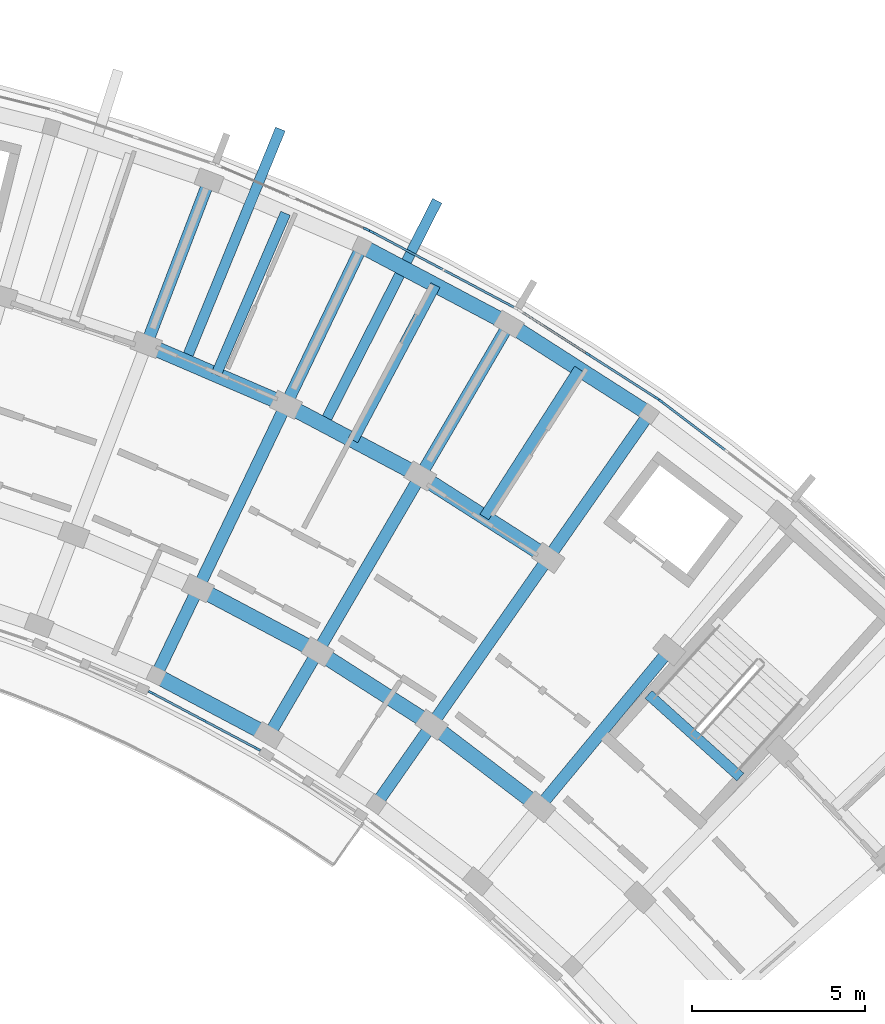
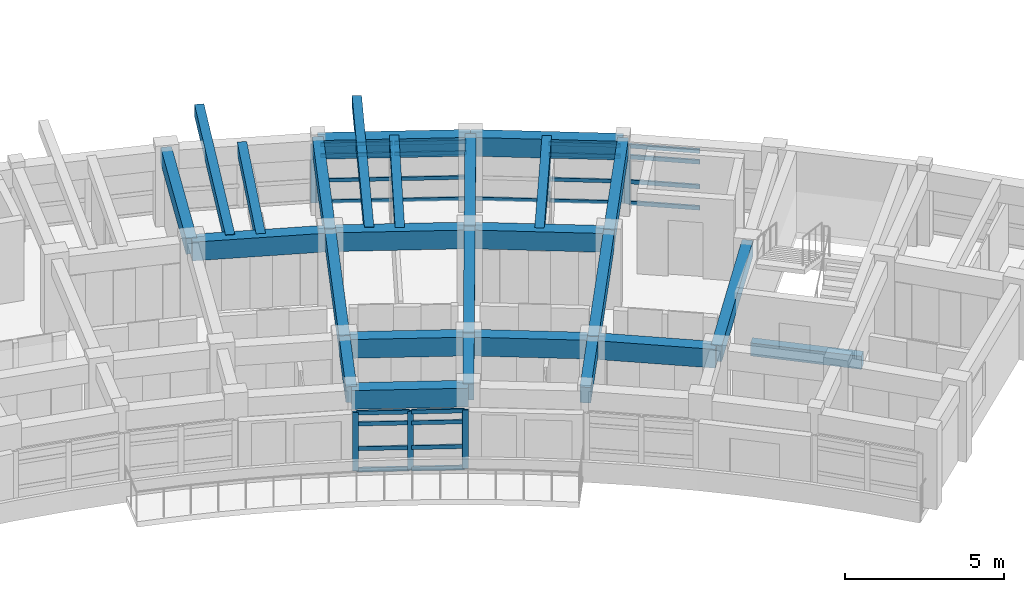
# One storey, part 14 of 56: 33 members, 26 beams, 5 elements without a shape of their own.
"""IFC4 building model written with IfcOpenShell, lengths in metres."""

from ifc_helpers import new_model, si_unit, direction, frame, origin, origin_2d, place, context, subcontext, project, spatial, rectangle, extrude, material, material_profile, profile_set, type_object, element, aggregate, save


model = new_model("IFC4")

# Units and contexts
model_context = context("Model", 3, precision=1e-05, world=origin(), true_north=direction((0.0, 1.0)))
body_context = subcontext(model_context, "Body", "Model", "MODEL_VIEW")
ifc_project = project(units=[si_unit("LENGTHUNIT", "METRE"), si_unit("AREAUNIT", "SQUARE_METRE"), si_unit("VOLUMEUNIT", "CUBIC_METRE"), si_unit("PLANEANGLEUNIT", "RADIAN"), si_unit("MASSUNIT", "GRAM", prefix="KILO")], contexts=[model_context])

# Site, building, storey
site_placement = place(None, origin())
site = spatial("IfcSite", under=ifc_project, at=site_placement, CompositionType="ELEMENT")
building_placement = place(site_placement, origin())
building = spatial("IfcBuilding", under=site, at=building_placement, Name="Zimvara Arc Housing Community", CompositionType="ELEMENT")
storey_placement = place(building_placement, frame((0.0, 0.0, 17.39990234375)))
storey = spatial("IfcBuildingStorey", under=building, at=storey_placement, Name="L05", CompositionType="ELEMENT", Elevation=17.39990234375)

# Beams
ifc_material_1 = material(Name="Concrete C40/50", Category="concrete")
ifc_material_profile_1 = material_profile(ifc_material_1, rectangle(XDim=0.300048828125, YDim=0.449951171875, at=origin_2d()), Name="RC 300x450")
ifc_profile_set_1 = profile_set([ifc_material_profile_1], Name="Concrete C40/50")
beam_type_1 = type_object("IfcBeamType", Name="BM-RC-300x450", PredefinedType="JOIST", material=ifc_profile_set_1)
beam_1_placement = place(storey_placement, frame((66.22802734375, 93.885986328125, 2.64501953125), z_axis=(0.394929109608, 0.918711596958, 0.0), x_axis=(-0.918711596958, 0.394929109608, 0.0)))
element("IfcBeam", 1, at=beam_1_placement, inside=storey, type_object=beam_type_1, Name="bm:blkB:L05:joist:b4", PredefinedType="JOIST", context=body_context, shape_type="SweptSolid", body=[
    extrude(rectangle(XDim=0.300048828125, YDim=0.449951171875, at=origin_2d()), origin(), (0.0, 0.0, 1.0), 5.075927734375),
])
for number, where, z_axis, x_axis, name in (
    (2, (70.186767578125, 91.9892578125, 2.64501953125), (0.46853732736, 0.883443701019, 0.0), (-0.883443701019, 0.46853732736, 0.0), "bm:blkB:L05:joist:b5"),
    (3, (73.9775390625, 89.776123046875, 2.64501953125), (0.539052331508, 0.842272274206, 0.0), (-0.842272274206, 0.539052331508, 0.0), "bm:blkB:L05:joist:b6"),
):
    element("IfcBeam", number, at=place(storey_placement, frame(where, z_axis=z_axis, x_axis=x_axis)), inside=storey, type_object=beam_type_1, Name=name, PredefinedType="JOIST", context=body_context, shape_type="SweptSolid", body=[
        extrude(rectangle(XDim=0.300048828125, YDim=0.449951171875, at=origin_2d()), origin(), (0.0, 0.0, 1.0), 5.07568359375),
    ])
for number, where, z_axis, x_axis, name in (
    (4, (65.354248046875, 94.301025390625, 2.6650390625), (0.37834711263, 0.925663795535, 0.0), (-0.925663795535, 0.37834711263, 0.0), "bm:blkB:L05:cant_out:b4"),
    (5, (69.349609375, 92.474365234375, 2.6650390625), (0.45261583812, 0.891705614585, 0.0), (-0.891705614585, 0.45261583812, 0.0), "bm:blkB:L05:cant_out:b5"),
):
    element("IfcBeam", number, at=place(storey_placement, frame(where, z_axis=z_axis, x_axis=x_axis)), inside=storey, type_object=beam_type_1, Name=name, PredefinedType="JOIST", context=body_context, shape_type="SweptSolid", body=[
        extrude(rectangle(XDim=0.300048828125, YDim=0.449951171875, at=origin_2d()), origin(), (0.0, 0.0, 1.0), 7.219970703125),
    ])
ifc_material_2 = material(Name="Concrete C40/50", Category="concrete")
ifc_material_profile_2 = material_profile(ifc_material_2, rectangle(XDim=0.300048828125, YDim=0.5, at=origin_2d()), Name="RC 300x500")
ifc_profile_set_2 = profile_set([ifc_material_profile_2], Name="Concrete C40/50")
beam_type_2 = type_object("IfcBeamType", Name="BM-RC-300x500", PredefinedType="BEAM", material=ifc_profile_set_2)
beam_2_placement = place(storey_placement, frame((81.375732421875, 82.259033203125, -0.25), z_axis=(-0.743362151162, 0.668889162881, 0.0), x_axis=(-0.668889162881, -0.743362151162, 0.0)))
element("IfcBeam", 6, at=beam_2_placement, inside=storey, type_object=beam_type_2, Name="bm:stair_trim:ST-B2:L05:near", PredefinedType="BEAM", context=body_context, shape_type="SweptSolid", body=[
    extrude(rectangle(XDim=0.300048828125, YDim=0.5, at=origin_2d()), origin(), (0.0, 0.0, 1.0), 3.570068359375),
])
ifc_material_3 = material(Name="Concrete C40/50", Category="concrete")
ifc_material_profile_3 = material_profile(ifc_material_3, rectangle(XDim=0.35009765625, YDim=0.60009765625, at=origin_2d()), Name="RC 350x600")
ifc_profile_set_3 = profile_set([ifc_material_profile_3], Name="Concrete C40/50")
beam_type_3 = type_object("IfcBeamType", Name="BM-RC-350x600", PredefinedType="BEAM", material=ifc_profile_set_3)
beam_3_placement = place(storey_placement, frame((64.2099609375, 94.75341796875, 2.570068359375), z_axis=(0.357078271386, 0.934074466038, 0.0), x_axis=(-0.934074466038, 0.357078271386, 0.0)))
element("IfcBeam", 7, at=beam_3_placement, inside=storey, type_object=beam_type_3, Name="bm:blkB:L05:rad:b4:r23", PredefinedType="BEAM", context=body_context, shape_type="SweptSolid", body=[
    extrude(rectangle(XDim=0.35009765625, YDim=0.60009765625, at=origin_2d()), origin(), (0.0, 0.0, 1.0), 5.080078125),
])
beam_4_placement = place(storey_placement, frame((64.49560546875, 85.190673828125, 2.570068359375), z_axis=(0.432118703138, 0.901816736593, 0.0), x_axis=(-0.901816736593, 0.432118703138, 0.0)))
element("IfcBeam", 8, at=beam_4_placement, inside=storey, type_object=beam_type_3, Name="bm:blkB:L05:rad:b5:r01", PredefinedType="BEAM", context=body_context, shape_type="SweptSolid", body=[
    extrude(rectangle(XDim=0.35009765625, YDim=0.60009765625, at=origin_2d()), origin(), (0.0, 0.0, 1.0), 2.800048828125),
])
beam_5_placement = place(storey_placement, frame((65.70556640625, 87.7158203125, 2.570068359375), z_axis=(0.432069527705, 0.901840298073, 0.0), x_axis=(-0.901840298073, 0.432069527705, 0.0)))
element("IfcBeam", 9, at=beam_5_placement, inside=storey, type_object=beam_type_3, Name="bm:blkB:L05:rad:b5:r12", PredefinedType="BEAM", context=body_context, shape_type="SweptSolid", body=[
    extrude(rectangle(XDim=0.35009765625, YDim=0.60009765625, at=origin_2d()), origin(), (0.0, 0.0, 1.0), 5.8798828125),
])
beam_6_placement = place(storey_placement, frame((68.24609375, 93.0185546875, 2.570068359375), z_axis=(0.432098194978, 0.901826563091, 0.0), x_axis=(-0.901826563091, 0.432098194978, 0.0)))
element("IfcBeam", 10, at=beam_6_placement, inside=storey, type_object=beam_type_3, Name="bm:blkB:L05:rad:b5:r23", PredefinedType="BEAM", context=body_context, shape_type="SweptSolid", body=[
    extrude(rectangle(XDim=0.35009765625, YDim=0.60009765625, at=origin_2d()), origin(), (0.0, 0.0, 1.0), 5.080078125),
])
beam_7_placement = place(storey_placement, frame((67.750732421875, 83.46435546875, 2.570068359375), z_axis=(0.504239631668, 0.86356377521, 0.0), x_axis=(-0.86356377521, 0.504239631668, 0.0)))
element("IfcBeam", 11, at=beam_7_placement, inside=storey, type_object=beam_type_3, Name="bm:blkB:L05:rad:b6:r01", PredefinedType="BEAM", context=body_context, shape_type="SweptSolid", body=[
    extrude(rectangle(XDim=0.35009765625, YDim=0.60009765625, at=origin_2d()), origin(), (0.0, 0.0, 1.0), 2.800048828125),
])
beam_8_placement = place(storey_placement, frame((69.16259765625, 85.88232421875, 2.570068359375), z_axis=(0.504219494781, 0.863575532934, 0.0), x_axis=(-0.863575532934, 0.504219494781, 0.0)))
element("IfcBeam", 12, at=beam_8_placement, inside=storey, type_object=beam_type_3, Name="bm:blkB:L05:rad:b6:r12", PredefinedType="BEAM", context=body_context, shape_type="SweptSolid", body=[
    extrude(rectangle(XDim=0.35009765625, YDim=0.60009765625, at=origin_2d()), origin(), (0.0, 0.0, 1.0), 5.880126953125),
])
beam_9_placement = place(storey_placement, frame((72.12744140625, 90.960205078125, 2.570068359375), z_axis=(0.504196701544, 0.863588840915, 0.0), x_axis=(-0.863588840915, 0.504196701544, 0.0)))
element("IfcBeam", 13, at=beam_9_placement, inside=storey, type_object=beam_type_3, Name="bm:blkB:L05:rad:b6:r23", PredefinedType="BEAM", context=body_context, shape_type="SweptSolid", body=[
    extrude(rectangle(XDim=0.35009765625, YDim=0.60009765625, at=origin_2d()), origin(), (0.0, 0.0, 1.0), 5.079833984375),
])
beam_10_placement = place(storey_placement, frame((70.85400390625, 81.478271484375, 2.570068359375), z_axis=(0.57297651105, 0.819571789281, 0.0), x_axis=(-0.819571789281, 0.57297651105, 0.0)))
element("IfcBeam", 14, at=beam_10_placement, inside=storey, type_object=beam_type_3, Name="bm:blkB:L05:rad:b7:r01", PredefinedType="BEAM", context=body_context, shape_type="SweptSolid", body=[
    extrude(rectangle(XDim=0.35009765625, YDim=0.60009765625, at=origin_2d()), origin(), (0.0, 0.0, 1.0), 2.7998046875),
])
beam_11_placement = place(storey_placement, frame((72.458251953125, 83.77294921875, 2.570068359375), z_axis=(0.573027549978, 0.819536104736, 0.0), x_axis=(-0.819536104736, 0.573027549978, 0.0)))
element("IfcBeam", 15, at=beam_11_placement, inside=storey, type_object=beam_type_3, Name="bm:blkB:L05:rad:b7:r12", PredefinedType="BEAM", context=body_context, shape_type="SweptSolid", body=[
    extrude(rectangle(XDim=0.35009765625, YDim=0.60009765625, at=origin_2d()), origin(), (0.0, 0.0, 1.0), 5.8798828125),
])
beam_12_placement = place(storey_placement, frame((75.82763671875, 88.591796875, 2.570068359375), z_axis=(0.573007469479, 0.819550144848, 0.0), x_axis=(-0.819550144848, 0.573007469479, 0.0)))
element("IfcBeam", 16, at=beam_12_placement, inside=storey, type_object=beam_type_3, Name="bm:blkB:L05:rad:b7:r23", PredefinedType="BEAM", context=body_context, shape_type="SweptSolid", body=[
    extrude(rectangle(XDim=0.35009765625, YDim=0.60009765625, at=origin_2d()), origin(), (0.0, 0.0, 1.0), 5.080078125),
])
beam_13_placement = place(storey_placement, frame((75.571044921875, 81.401611328125, 2.570068359375), z_axis=(0.637955964415, 0.770072845559, 0.0), x_axis=(-0.770072845559, 0.637955964415, 0.0)))
element("IfcBeam", 17, at=beam_13_placement, inside=storey, type_object=beam_type_3, Name="bm:blkB:L05:rad:b8:r12", PredefinedType="BEAM", context=body_context, shape_type="SweptSolid", body=[
    extrude(rectangle(XDim=0.35009765625, YDim=0.60009765625, at=origin_2d()), origin(), (0.0, 0.0, 1.0), 5.880126953125),
])
ifc_material_4 = material(Name="Concrete C40/50", Category="concrete")
ifc_material_profile_4 = material_profile(ifc_material_4, rectangle(XDim=0.43994140625, YDim=0.719970703125, at=origin_2d()), Name="RC 440x720")
ifc_profile_set_4 = profile_set([ifc_material_profile_4], Name="Concrete C40/50")
beam_type_4 = type_object("IfcBeamType", Name="BM-RC-440x720", PredefinedType="BEAM", material=ifc_profile_set_4)
beam_14_placement = place(storey_placement, frame((64.49560546875, 85.190673828125, 2.510009765625), z_axis=(0.883449220086, -0.468526920815, 0.0), x_axis=(0.468526920815, 0.883449220086, 0.0)))
element("IfcBeam", 18, at=beam_14_placement, inside=storey, type_object=beam_type_4, Name="bm:blkB:L05:chord:r0:b5", PredefinedType="BEAM", context=body_context, shape_type="SweptSolid", body=[
    extrude(rectangle(XDim=0.43994140625, YDim=0.719970703125, at=origin_2d()), origin(), (0.0, 0.0, 1.0), 3.6845703125),
])
beam_15_placement = place(storey_placement, frame((65.70556640625, 87.7158203125, 2.510009765625), z_axis=(0.883438625159, -0.468546897948, 0.0), x_axis=(0.468546897948, 0.883438625159, 0.0)))
element("IfcBeam", 19, at=beam_15_placement, inside=storey, type_object=beam_type_4, Name="bm:blkB:L05:chord:r1:b5", PredefinedType="BEAM", context=body_context, shape_type="SweptSolid", body=[
    extrude(rectangle(XDim=0.43994140625, YDim=0.719970703125, at=origin_2d()), origin(), (0.0, 0.0, 1.0), 3.9130859375),
])
beam_16_placement = place(storey_placement, frame((69.16259765625, 85.88232421875, 2.510009765625), z_axis=(0.842253269878, -0.539082024724, 0.0), x_axis=(0.539082024724, 0.842253269878, 0.0)))
element("IfcBeam", 20, at=beam_16_placement, inside=storey, type_object=beam_type_4, Name="bm:blkB:L05:chord:r1:b6", PredefinedType="BEAM", context=body_context, shape_type="SweptSolid", body=[
    extrude(rectangle(XDim=0.43994140625, YDim=0.719970703125, at=origin_2d()), origin(), (0.0, 0.0, 1.0), 3.912841796875),
])
beam_17_placement = place(storey_placement, frame((72.458251953125, 83.77294921875, 2.510009765625), z_axis=(0.795470387579, -0.605992460749, 0.0), x_axis=(0.605992460749, 0.795470387579, 0.0)))
element("IfcBeam", 21, at=beam_17_placement, inside=storey, type_object=beam_type_4, Name="bm:blkB:L05:chord:r1:b7", PredefinedType="BEAM", context=body_context, shape_type="SweptSolid", body=[
    extrude(rectangle(XDim=0.43994140625, YDim=0.719970703125, at=origin_2d()), origin(), (0.0, 0.0, 1.0), 3.9130859375),
])
for number, where, z_axis, x_axis, name in (
    (22, (64.2099609375, 94.75341796875, 2.510009765625), (0.918724840088, -0.394898301093, 0.0), (0.394898301093, 0.918724840088, 0.0), "bm:blkB:L05:chord:r2:b4"),
    (23, (68.24609375, 93.0185546875, 2.510009765625), (0.883456526058, -0.468513144496, 0.0), (0.468513144496, 0.883456526058, 0.0), "bm:blkB:L05:chord:r2:b5"),
    (24, (72.12744140625, 90.960205078125, 2.510009765625), (0.842242131326, -0.539099427025, 0.0), (0.539099427025, 0.842242131326, 0.0), "bm:blkB:L05:chord:r2:b6"),
):
    element("IfcBeam", number, at=place(storey_placement, frame(where, z_axis=z_axis, x_axis=x_axis)), inside=storey, type_object=beam_type_4, Name=name, PredefinedType="BEAM", context=body_context, shape_type="SweptSolid", body=[
        extrude(rectangle(XDim=0.43994140625, YDim=0.719970703125, at=origin_2d()), origin(), (0.0, 0.0, 1.0), 4.393310546875),
    ])
beam_18_placement = place(storey_placement, frame((70.441162109375, 97.599853515625, 2.510009765625), z_axis=(0.883445542299, -0.468533855546, 0.0), x_axis=(0.468533855546, 0.883445542299, 0.0)))
element("IfcBeam", 25, at=beam_18_placement, inside=storey, type_object=beam_type_4, Name="bm:blkB:L05:chord:r3:b5", PredefinedType="BEAM", context=body_context, shape_type="SweptSolid", body=[
    extrude(rectangle(XDim=0.43994140625, YDim=0.719970703125, at=origin_2d()), origin(), (0.0, 0.0, 1.0), 4.807861328125),
])
beam_19_placement = place(storey_placement, frame((74.688720703125, 95.34716796875, 2.510009765625), z_axis=(0.842255724028, -0.539078190379, 0.0), x_axis=(0.539078190379, 0.842255724028, 0.0)))
element("IfcBeam", 26, at=beam_19_placement, inside=storey, type_object=beam_type_4, Name="bm:blkB:L05:chord:r3:b6", PredefinedType="BEAM", context=body_context, shape_type="SweptSolid", body=[
    extrude(rectangle(XDim=0.43994140625, YDim=0.719970703125, at=origin_2d()), origin(), (0.0, 0.0, 1.0), 4.808349609375),
])

# Curtain wall, member
ifc_material_5 = material(Name="Anodised Aluminium AW-6063", Category="aluminium")
curtain_wall_type_1 = type_object("IfcCurtainWallType", Name="CW-SYS-02", PredefinedType="USERDEFINED", material=ifc_material_5)
curtain_wall_1_placement = place(storey_placement, origin())
curtain_wall_1 = element("IfcCurtainWall", 27, at=curtain_wall_1_placement, inside=storey, type_object=curtain_wall_type_1, Name="cw:blkB:L05:out:b5", ObjectType="CURTAIN WALL", PredefinedType="USERDEFINED")
ifc_material_6 = material(Name="Anodised Aluminium AW-6063", Category="aluminium")
ifc_material_profile_5 = material_profile(ifc_material_6, rectangle(XDim=0.06494140625, YDim=0.179931640625, at=origin_2d()), Name="ALU 65x180")
ifc_profile_set_5 = profile_set([ifc_material_profile_5], Name="Anodised Aluminium AW-6063")
member_type_1 = type_object("IfcMemberType", Name="CWM-65x150", PredefinedType="MULLION", material=ifc_profile_set_5)
member_1_placement = place(storey_placement, frame((70.739013671875, 98.007568359375, 0.0), z_axis=(0.0, 0.0, 1.0), x_axis=(0.468546917761, 0.883438614651, 0.0)))
member_1 = element("IfcMember", 28, at=member_1_placement, type_object=member_type_1, Name="CW02 mullion 1", PredefinedType="MULLION", context=body_context, shape_type="SweptSolid", body=[
    extrude(rectangle(XDim=0.06494140625, YDim=0.179931640625, at=origin_2d()), origin(), (0.0, 0.0, 1.0), 2.25),
])

# Curtain wall, members
ifc_material_7 = material(Name="Anodised Aluminium AW-6063", Category="aluminium")
curtain_wall_type_2 = type_object("IfcCurtainWallType", Name="CW-SYS-04", PredefinedType="USERDEFINED", material=ifc_material_7)
curtain_wall_2_placement = place(storey_placement, origin())
curtain_wall_2 = element("IfcCurtainWall", 29, at=curtain_wall_2_placement, inside=storey, type_object=curtain_wall_type_2, Name="cw:blkB:L05:out:b6", ObjectType="CURTAIN WALL", PredefinedType="USERDEFINED")
member_2_placement = place(storey_placement, frame((76.98291015625, 94.471923828125, 0.0), z_axis=(0.0, 0.0, 1.0), x_axis=(0.539064617721, 0.842264410931, 0.0)))
member_2 = element("IfcMember", 30, at=member_2_placement, type_object=member_type_1, Name="CW04 mullion 2", PredefinedType="MULLION", context=body_context, shape_type="SweptSolid", body=[
    extrude(rectangle(XDim=0.06494140625, YDim=0.179931640625, at=origin_2d()), origin(), (0.0, 0.0, 1.0), 2.25),
])
member_3_placement = place(storey_placement, frame((78.947021484375, 93.21484375, 0.0), z_axis=(0.0, 0.0, 1.0), x_axis=(0.539064617721, 0.842264410931, 0.0)))
member_3 = element("IfcMember", 31, at=member_3_placement, type_object=member_type_1, Name="CW04 mullion 3", PredefinedType="MULLION", context=body_context, shape_type="SweptSolid", body=[
    extrude(rectangle(XDim=0.06494140625, YDim=0.179931640625, at=origin_2d()), origin(), (0.0, 0.0, 1.0), 2.25),
])

# Curtain wall, member
ifc_material_8 = material(Name="Anodised Aluminium AW-6063", Category="aluminium")
curtain_wall_type_3 = type_object("IfcCurtainWallType", Name="CW-SYS-01", PredefinedType="USERDEFINED", material=ifc_material_8)
curtain_wall_3_placement = place(storey_placement, origin())
curtain_wall_3 = element("IfcCurtainWall", 32, at=curtain_wall_3_placement, inside=storey, type_object=curtain_wall_type_3, Name="cw:blkB:L05:out:b4", ObjectType="CURTAIN WALL", PredefinedType="USERDEFINED")
ifc_material_9 = material(Name="Anodised Aluminium AW-6063", Category="aluminium")
ifc_material_profile_6 = material_profile(ifc_material_9, rectangle(XDim=0.06494140625, YDim=0.195068359375, at=origin_2d()), Name="ALU 65x195")
ifc_profile_set_6 = profile_set([ifc_material_profile_6], Name="Anodised Aluminium AW-6063")
member_type_2 = type_object("IfcMemberType", Name="CWM-65x180", PredefinedType="MULLION", material=ifc_profile_set_6)
member_4_placement = place(storey_placement, frame((70.572265625, 98.08740234375, 0.0), z_axis=(0.0, 0.0, 1.0), x_axis=(0.394904211998, 0.918722299363, 0.0)))
member_4 = element("IfcMember", 33, at=member_4_placement, type_object=member_type_2, Name="CW01 mullion 3", PredefinedType="MULLION", context=body_context, shape_type="SweptSolid", body=[
    extrude(rectangle(XDim=0.06494140625, YDim=0.195068359375, at=origin_2d()), origin(), (0.0, 0.0, 1.0), 2.25),
])
aggregate(curtain_wall_3, [member_4])

# Curtain wall, members
ifc_material_10 = material(Name="Anodised Aluminium AW-6063", Category="aluminium")
curtain_wall_type_4 = type_object("IfcCurtainWallType", Name="CW-SYS-03", PredefinedType="USERDEFINED", material=ifc_material_10)
curtain_wall_4_placement = place(storey_placement, origin())
curtain_wall_4 = element("IfcCurtainWall", 34, at=curtain_wall_4_placement, inside=storey, type_object=curtain_wall_type_4, Name="cw:blkB:L05:in:b5", ObjectType="CURTAIN WALL", PredefinedType="USERDEFINED")
member_5_placement = place(storey_placement, frame((64.361328125, 84.696533203125, 0.0), z_axis=(0.0, 0.0, 1.0), x_axis=(0.468544648573, 0.88343981815, 0.0)))
member_5 = element("IfcMember", 35, at=member_5_placement, type_object=member_type_2, Name="CW03 mullion 1", PredefinedType="MULLION", context=body_context, shape_type="SweptSolid", body=[
    extrude(rectangle(XDim=0.06494140625, YDim=0.195068359375, at=origin_2d()), origin(), (0.0, 0.0, 1.0), 2.25),
])
member_6_placement = place(storey_placement, frame((65.88916015625, 83.88623046875, 0.0), z_axis=(0.0, 0.0, 1.0), x_axis=(0.468544648573, 0.88343981815, 0.0)))
member_6 = element("IfcMember", 36, at=member_6_placement, type_object=member_type_2, Name="CW03 mullion 2", PredefinedType="MULLION", context=body_context, shape_type="SweptSolid", body=[
    extrude(rectangle(XDim=0.06494140625, YDim=0.195068359375, at=origin_2d()), origin(), (0.0, 0.0, 1.0), 2.25),
])
member_7_placement = place(storey_placement, frame((67.416748046875, 83.075927734375, 0.0), z_axis=(0.0, 0.0, 1.0), x_axis=(0.468544648573, 0.88343981815, 0.0)))
member_7 = element("IfcMember", 37, at=member_7_placement, type_object=member_type_2, Name="CW03 mullion 3", PredefinedType="MULLION", context=body_context, shape_type="SweptSolid", body=[
    extrude(rectangle(XDim=0.06494140625, YDim=0.195068359375, at=origin_2d()), origin(), (0.0, 0.0, 1.0), 2.25),
])

# Curtain wall, member
ifc_material_11 = material(Name="Anodised Aluminium AW-6063", Category="aluminium")
curtain_wall_type_5 = type_object("IfcCurtainWallType", Name="CW-SYS-05", PredefinedType="USERDEFINED", material=ifc_material_11)
curtain_wall_5_placement = place(storey_placement, origin())
curtain_wall_5 = element("IfcCurtainWall", 38, at=curtain_wall_5_placement, inside=storey, type_object=curtain_wall_type_5, Name="cw:blkB:L05:out:b7", ObjectType="CURTAIN WALL", PredefinedType="USERDEFINED")
member_8_placement = place(storey_placement, frame((79.0986328125, 93.10888671875, 0.0), z_axis=(0.0, 0.0, 1.0), x_axis=(0.60598771987, 0.795473999177, 0.0)))
member_8 = element("IfcMember", 39, at=member_8_placement, type_object=member_type_2, Name="CW05 mullion 1", PredefinedType="MULLION", context=body_context, shape_type="SweptSolid", body=[
    extrude(rectangle(XDim=0.06494140625, YDim=0.195068359375, at=origin_2d()), origin(), (0.0, 0.0, 1.0), 2.25),
])

# Member
ifc_material_12 = material(Name="Anodised Aluminium AW-6063", Category="aluminium")
ifc_material_profile_7 = material_profile(ifc_material_12, rectangle(XDim=0.06494140625, YDim=0.139892578125, at=origin_2d()), Name="ALU 65x140")
ifc_profile_set_7 = profile_set([ifc_material_profile_7], Name="Anodised Aluminium AW-6063")
member_type_3 = type_object("IfcMemberType", Name="CWT-65x120", PredefinedType="USERDEFINED", material=ifc_profile_set_7)
member_9_placement = place(storey_placement, frame((70.767578125, 97.9921875, 0.03271484375), z_axis=(0.883489114766, -0.468451688107, 0.0), x_axis=(0.468451688107, 0.883489114766, 0.0)))
member_9 = element("IfcMember", 40, at=member_9_placement, type_object=member_type_3, Name="CW02 transom 1.1", ObjectType="TRANSOM", PredefinedType="USERDEFINED", context=body_context, shape_type="SweptSolid", body=[
    extrude(rectangle(XDim=0.06494140625, YDim=0.139892578125, at=origin_2d()), origin(), (0.0, 0.0, 1.0), 2.26708984375),
])

member_10_placement = place(storey_placement, frame((70.767578125, 97.9921875, 0.85009765625), z_axis=(0.883489114766, -0.468451688107, 0.0), x_axis=(0.468451688107, 0.883489114766, 0.0)))
member_10 = element("IfcMember", 41, at=member_10_placement, type_object=member_type_3, Name="CW02 transom 1.2", ObjectType="TRANSOM", PredefinedType="USERDEFINED", context=body_context, shape_type="SweptSolid", body=[
    extrude(rectangle(XDim=0.06494140625, YDim=0.139892578125, at=origin_2d()), origin(), (0.0, 0.0, 1.0), 2.26708984375),
])

member_11_placement = place(storey_placement, frame((70.767578125, 97.9921875, 1.800048828125), z_axis=(0.883489114766, -0.468451688107, 0.0), x_axis=(0.468451688107, 0.883489114766, 0.0)))
member_11 = element("IfcMember", 42, at=member_11_placement, type_object=member_type_3, Name="CW02 transom 1.3", ObjectType="TRANSOM", PredefinedType="USERDEFINED", context=body_context, shape_type="SweptSolid", body=[
    extrude(rectangle(XDim=0.06494140625, YDim=0.139892578125, at=origin_2d()), origin(), (0.0, 0.0, 1.0), 2.26708984375),
])

member_12_placement = place(storey_placement, frame((70.767578125, 97.9921875, 2.217529296875), z_axis=(0.883489114766, -0.468451688107, 0.0), x_axis=(0.468451688107, 0.883489114766, 0.0)))
member_12 = element("IfcMember", 43, at=member_12_placement, type_object=member_type_3, Name="CW02 transom 1.4", ObjectType="TRANSOM", PredefinedType="USERDEFINED", context=body_context, shape_type="SweptSolid", body=[
    extrude(rectangle(XDim=0.06494140625, YDim=0.139892578125, at=origin_2d()), origin(), (0.0, 0.0, 1.0), 2.26708984375),
])

member_13_placement = place(storey_placement, frame((72.827880859375, 96.899658203125, 0.03271484375), z_axis=(0.883420900208, -0.468580316568, 0.0), x_axis=(0.468580316568, 0.883420900208, 0.0)))
member_13 = element("IfcMember", 44, at=member_13_placement, type_object=member_type_3, Name="CW02 transom 2.1", ObjectType="TRANSOM", PredefinedType="USERDEFINED", context=body_context, shape_type="SweptSolid", body=[
    extrude(rectangle(XDim=0.06494140625, YDim=0.139892578125, at=origin_2d()), origin(), (0.0, 0.0, 1.0), 2.266845703125),
])

member_14_placement = place(storey_placement, frame((72.827880859375, 96.899658203125, 0.85009765625), z_axis=(0.883420900208, -0.468580316568, 0.0), x_axis=(0.468580316568, 0.883420900208, 0.0)))
member_14 = element("IfcMember", 45, at=member_14_placement, type_object=member_type_3, Name="CW02 transom 2.2", ObjectType="TRANSOM", PredefinedType="USERDEFINED", context=body_context, shape_type="SweptSolid", body=[
    extrude(rectangle(XDim=0.06494140625, YDim=0.139892578125, at=origin_2d()), origin(), (0.0, 0.0, 1.0), 2.266845703125),
])

member_15_placement = place(storey_placement, frame((72.827880859375, 96.899658203125, 1.800048828125), z_axis=(0.883420900208, -0.468580316568, 0.0), x_axis=(0.468580316568, 0.883420900208, 0.0)))
member_15 = element("IfcMember", 46, at=member_15_placement, type_object=member_type_3, Name="CW02 transom 2.3", ObjectType="TRANSOM", PredefinedType="USERDEFINED", context=body_context, shape_type="SweptSolid", body=[
    extrude(rectangle(XDim=0.06494140625, YDim=0.139892578125, at=origin_2d()), origin(), (0.0, 0.0, 1.0), 2.266845703125),
])

member_16_placement = place(storey_placement, frame((72.827880859375, 96.899658203125, 2.217529296875), z_axis=(0.883420900208, -0.468580316568, 0.0), x_axis=(0.468580316568, 0.883420900208, 0.0)))
member_16 = element("IfcMember", 47, at=member_16_placement, type_object=member_type_3, Name="CW02 transom 2.4", ObjectType="TRANSOM", PredefinedType="USERDEFINED", context=body_context, shape_type="SweptSolid", body=[
    extrude(rectangle(XDim=0.06494140625, YDim=0.139892578125, at=origin_2d()), origin(), (0.0, 0.0, 1.0), 2.266845703125),
])

aggregate(curtain_wall_1, [member_1, member_9, member_10, member_11, member_12, member_13, member_14, member_15, member_16])

member_17_placement = place(storey_placement, frame((75.046142578125, 95.71142578125, 0.03271484375), z_axis=(0.842292914806, -0.539020079095, 0.0), x_axis=(0.539020079095, 0.842292914806, 0.0)))
member_17 = element("IfcMember", 48, at=member_17_placement, type_object=member_type_3, Name="CW04 transom 1.1", ObjectType="TRANSOM", PredefinedType="USERDEFINED", context=body_context, shape_type="SweptSolid", body=[
    extrude(rectangle(XDim=0.06494140625, YDim=0.139892578125, at=origin_2d()), origin(), (0.0, 0.0, 1.0), 2.266845703125),
])

member_18_placement = place(storey_placement, frame((77.01025390625, 94.454345703125, 0.03271484375), z_axis=(0.842292914806, -0.539020079095, 0.0), x_axis=(0.539020079095, 0.842292914806, 0.0)))
member_18 = element("IfcMember", 49, at=member_18_placement, type_object=member_type_3, Name="CW04 transom 2.1", ObjectType="TRANSOM", PredefinedType="USERDEFINED", context=body_context, shape_type="SweptSolid", body=[
    extrude(rectangle(XDim=0.06494140625, YDim=0.139892578125, at=origin_2d()), origin(), (0.0, 0.0, 1.0), 2.266845703125),
])

member_19_placement = place(storey_placement, frame((77.01025390625, 94.454345703125, 0.85009765625), z_axis=(0.842292914806, -0.539020079095, 0.0), x_axis=(0.539020079095, 0.842292914806, 0.0)))
member_19 = element("IfcMember", 50, at=member_19_placement, type_object=member_type_3, Name="CW04 transom 2.2", ObjectType="TRANSOM", PredefinedType="USERDEFINED", context=body_context, shape_type="SweptSolid", body=[
    extrude(rectangle(XDim=0.06494140625, YDim=0.139892578125, at=origin_2d()), origin(), (0.0, 0.0, 1.0), 2.266845703125),
])

member_20_placement = place(storey_placement, frame((77.01025390625, 94.454345703125, 1.800048828125), z_axis=(0.842292914806, -0.539020079095, 0.0), x_axis=(0.539020079095, 0.842292914806, 0.0)))
member_20 = element("IfcMember", 51, at=member_20_placement, type_object=member_type_3, Name="CW04 transom 2.3", ObjectType="TRANSOM", PredefinedType="USERDEFINED", context=body_context, shape_type="SweptSolid", body=[
    extrude(rectangle(XDim=0.06494140625, YDim=0.139892578125, at=origin_2d()), origin(), (0.0, 0.0, 1.0), 2.266845703125),
])

member_21_placement = place(storey_placement, frame((77.01025390625, 94.454345703125, 2.217529296875), z_axis=(0.842292914806, -0.539020079095, 0.0), x_axis=(0.539020079095, 0.842292914806, 0.0)))
member_21 = element("IfcMember", 52, at=member_21_placement, type_object=member_type_3, Name="CW04 transom 2.4", ObjectType="TRANSOM", PredefinedType="USERDEFINED", context=body_context, shape_type="SweptSolid", body=[
    extrude(rectangle(XDim=0.06494140625, YDim=0.139892578125, at=origin_2d()), origin(), (0.0, 0.0, 1.0), 2.266845703125),
])

aggregate(curtain_wall_2, [member_2, member_3, member_17, member_18, member_19, member_20, member_21])

ifc_material_13 = material(Name="Anodised Aluminium AW-6063", Category="aluminium")
ifc_material_profile_8 = material_profile(ifc_material_13, rectangle(XDim=0.06494140625, YDim=0.155029296875, at=origin_2d()), Name="ALU 65x155")
ifc_profile_set_8 = profile_set([ifc_material_profile_8], Name="Anodised Aluminium AW-6063")
member_type_4 = type_object("IfcMemberType", Name="CWT-65x140", PredefinedType="USERDEFINED", material=ifc_profile_set_8)
member_22_placement = place(storey_placement, frame((64.39013671875, 84.68115234375, 0.03271484375), z_axis=(0.8834308201, -0.468561613982, 0.0), x_axis=(0.468561613982, 0.8834308201, 0.0)))
member_22 = element("IfcMember", 53, at=member_22_placement, type_object=member_type_4, Name="CW03 transom 1.1", ObjectType="TRANSOM", PredefinedType="USERDEFINED", context=body_context, shape_type="SweptSolid", body=[
    extrude(rectangle(XDim=0.06494140625, YDim=0.155029296875, at=origin_2d()), origin(), (0.0, 0.0, 1.0), 1.664306640625),
])

member_23_placement = place(storey_placement, frame((64.39013671875, 84.68115234375, 0.85009765625), z_axis=(0.8834308201, -0.468561613982, 0.0), x_axis=(0.468561613982, 0.8834308201, 0.0)))
member_23 = element("IfcMember", 54, at=member_23_placement, type_object=member_type_4, Name="CW03 transom 1.2", ObjectType="TRANSOM", PredefinedType="USERDEFINED", context=body_context, shape_type="SweptSolid", body=[
    extrude(rectangle(XDim=0.06494140625, YDim=0.155029296875, at=origin_2d()), origin(), (0.0, 0.0, 1.0), 1.664306640625),
])

member_24_placement = place(storey_placement, frame((64.39013671875, 84.68115234375, 1.800048828125), z_axis=(0.8834308201, -0.468561613982, 0.0), x_axis=(0.468561613982, 0.8834308201, 0.0)))
member_24 = element("IfcMember", 55, at=member_24_placement, type_object=member_type_4, Name="CW03 transom 1.3", ObjectType="TRANSOM", PredefinedType="USERDEFINED", context=body_context, shape_type="SweptSolid", body=[
    extrude(rectangle(XDim=0.06494140625, YDim=0.155029296875, at=origin_2d()), origin(), (0.0, 0.0, 1.0), 1.664306640625),
])

member_25_placement = place(storey_placement, frame((64.39013671875, 84.68115234375, 2.217529296875), z_axis=(0.8834308201, -0.468561613982, 0.0), x_axis=(0.468561613982, 0.8834308201, 0.0)))
member_25 = element("IfcMember", 56, at=member_25_placement, type_object=member_type_4, Name="CW03 transom 1.4", ObjectType="TRANSOM", PredefinedType="USERDEFINED", context=body_context, shape_type="SweptSolid", body=[
    extrude(rectangle(XDim=0.06494140625, YDim=0.155029296875, at=origin_2d()), origin(), (0.0, 0.0, 1.0), 1.664306640625),
])

member_26_placement = place(storey_placement, frame((65.917724609375, 83.870849609375, 0.03271484375), z_axis=(0.883463021947, -0.468500895252, 0.0), x_axis=(0.468500895252, 0.883463021947, 0.0)))
member_26 = element("IfcMember", 57, at=member_26_placement, type_object=member_type_4, Name="CW03 transom 2.1", ObjectType="TRANSOM", PredefinedType="USERDEFINED", context=body_context, shape_type="SweptSolid", body=[
    extrude(rectangle(XDim=0.06494140625, YDim=0.155029296875, at=origin_2d()), origin(), (0.0, 0.0, 1.0), 1.664306640625),
])

member_27_placement = place(storey_placement, frame((65.917724609375, 83.870849609375, 0.85009765625), z_axis=(0.883463021947, -0.468500895252, 0.0), x_axis=(0.468500895252, 0.883463021947, 0.0)))
member_27 = element("IfcMember", 58, at=member_27_placement, type_object=member_type_4, Name="CW03 transom 2.2", ObjectType="TRANSOM", PredefinedType="USERDEFINED", context=body_context, shape_type="SweptSolid", body=[
    extrude(rectangle(XDim=0.06494140625, YDim=0.155029296875, at=origin_2d()), origin(), (0.0, 0.0, 1.0), 1.664306640625),
])

member_28_placement = place(storey_placement, frame((65.917724609375, 83.870849609375, 1.800048828125), z_axis=(0.883463021947, -0.468500895252, 0.0), x_axis=(0.468500895252, 0.883463021947, 0.0)))
member_28 = element("IfcMember", 59, at=member_28_placement, type_object=member_type_4, Name="CW03 transom 2.3", ObjectType="TRANSOM", PredefinedType="USERDEFINED", context=body_context, shape_type="SweptSolid", body=[
    extrude(rectangle(XDim=0.06494140625, YDim=0.155029296875, at=origin_2d()), origin(), (0.0, 0.0, 1.0), 1.664306640625),
])

member_29_placement = place(storey_placement, frame((65.917724609375, 83.870849609375, 2.217529296875), z_axis=(0.883463021947, -0.468500895252, 0.0), x_axis=(0.468500895252, 0.883463021947, 0.0)))
member_29 = element("IfcMember", 60, at=member_29_placement, type_object=member_type_4, Name="CW03 transom 2.4", ObjectType="TRANSOM", PredefinedType="USERDEFINED", context=body_context, shape_type="SweptSolid", body=[
    extrude(rectangle(XDim=0.06494140625, YDim=0.155029296875, at=origin_2d()), origin(), (0.0, 0.0, 1.0), 1.664306640625),
])

aggregate(curtain_wall_4, [member_5, member_6, member_7, member_22, member_23, member_24, member_25, member_26, member_27, member_28, member_29])

member_30_placement = place(storey_placement, frame((79.12451171875, 93.08935546875, 0.03271484375), z_axis=(0.795453969776, -0.606014011363, 0.0), x_axis=(0.606014011363, 0.795453969776, 0.0)))
member_30 = element("IfcMember", 61, at=member_30_placement, type_object=member_type_4, Name="CW05 transom 1.1", ObjectType="TRANSOM", PredefinedType="USERDEFINED", context=body_context, shape_type="SweptSolid", body=[
    extrude(rectangle(XDim=0.06494140625, YDim=0.155029296875, at=origin_2d()), origin(), (0.0, 0.0, 1.0), 2.266845703125),
])

member_31_placement = place(storey_placement, frame((79.12451171875, 93.08935546875, 0.85009765625), z_axis=(0.795453969776, -0.606014011363, 0.0), x_axis=(0.606014011363, 0.795453969776, 0.0)))
member_31 = element("IfcMember", 62, at=member_31_placement, type_object=member_type_4, Name="CW05 transom 1.2", ObjectType="TRANSOM", PredefinedType="USERDEFINED", context=body_context, shape_type="SweptSolid", body=[
    extrude(rectangle(XDim=0.06494140625, YDim=0.155029296875, at=origin_2d()), origin(), (0.0, 0.0, 1.0), 2.266845703125),
])

member_32_placement = place(storey_placement, frame((79.12451171875, 93.08935546875, 1.800048828125), z_axis=(0.795453969776, -0.606014011363, 0.0), x_axis=(0.606014011363, 0.795453969776, 0.0)))
member_32 = element("IfcMember", 63, at=member_32_placement, type_object=member_type_4, Name="CW05 transom 1.3", ObjectType="TRANSOM", PredefinedType="USERDEFINED", context=body_context, shape_type="SweptSolid", body=[
    extrude(rectangle(XDim=0.06494140625, YDim=0.155029296875, at=origin_2d()), origin(), (0.0, 0.0, 1.0), 2.266845703125),
])

member_33_placement = place(storey_placement, frame((79.12451171875, 93.08935546875, 2.217529296875), z_axis=(0.795453969776, -0.606014011363, 0.0), x_axis=(0.606014011363, 0.795453969776, 0.0)))
member_33 = element("IfcMember", 64, at=member_33_placement, type_object=member_type_4, Name="CW05 transom 1.4", ObjectType="TRANSOM", PredefinedType="USERDEFINED", context=body_context, shape_type="SweptSolid", body=[
    extrude(rectangle(XDim=0.06494140625, YDim=0.155029296875, at=origin_2d()), origin(), (0.0, 0.0, 1.0), 2.266845703125),
])

aggregate(curtain_wall_5, [member_8, member_30, member_31, member_32, member_33])

save(model, "model.ifc")
